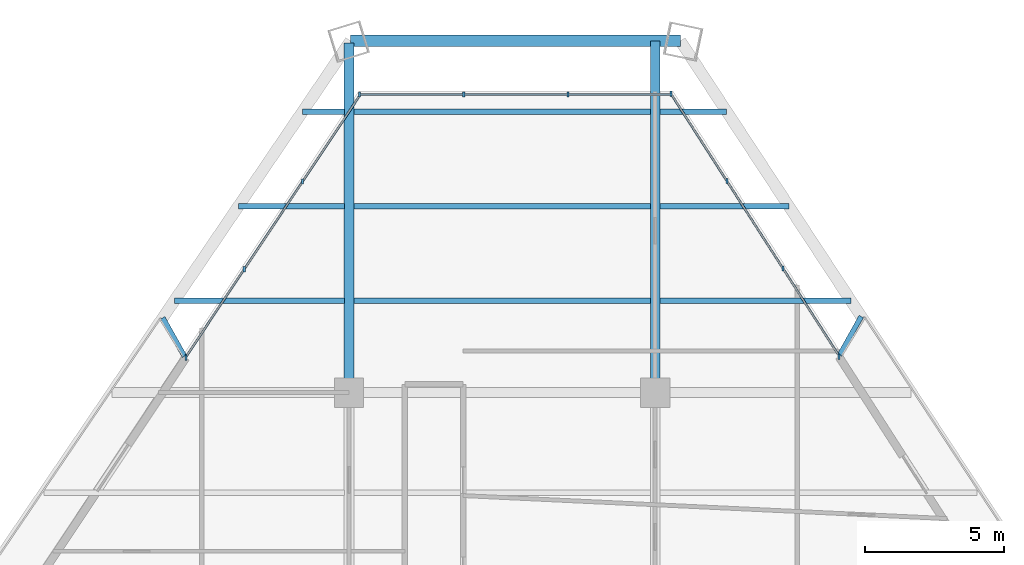
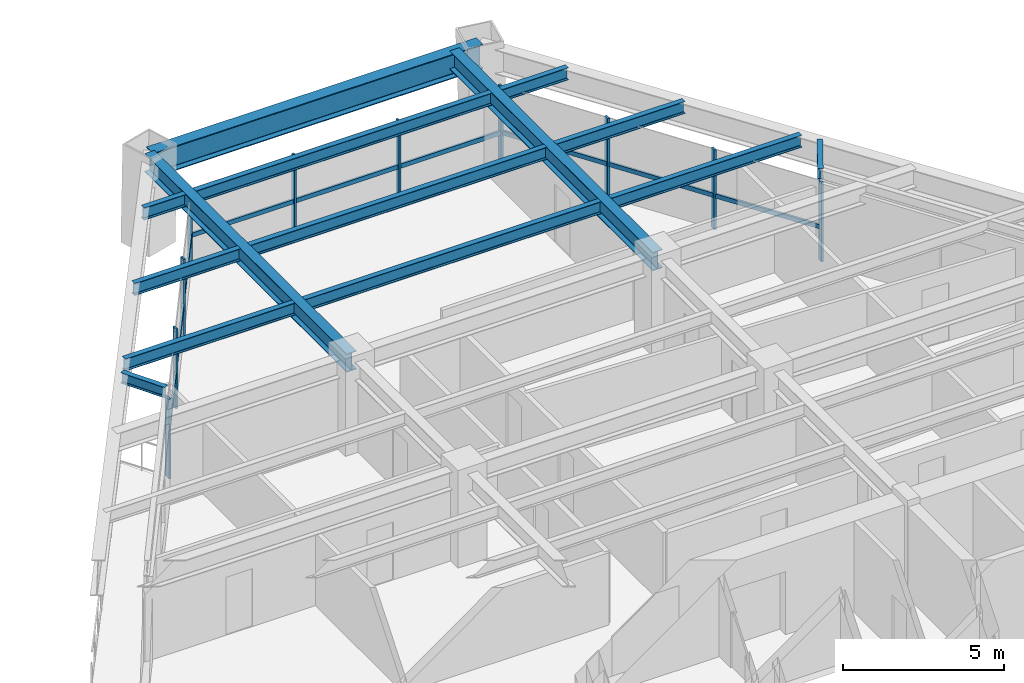
# One storey, part 8 of 14: 20 members, 14 beams, 3 elements without a shape of their own.
"""IFC4 building model written with IfcOpenShell, lengths in metres."""

from ifc_helpers import new_model, si_unit, direction, frame, origin, origin_2d, place, context, subcontext, project, spatial, rectangle, i_section, extrude, source, transform, mapped, material, material_profile, profile_set, type_object, element, aggregate, save


model = new_model("IFC4")

# Units and contexts
model_context = context("Model", 3, precision=1e-05, world=origin(), true_north=direction((0.0, 1.0)))
body_context = subcontext(model_context, "Body", "Model", "MODEL_VIEW")
ifc_project = project(units=[si_unit("LENGTHUNIT", "METRE"), si_unit("AREAUNIT", "SQUARE_METRE"), si_unit("VOLUMEUNIT", "CUBIC_METRE"), si_unit("PLANEANGLEUNIT", "RADIAN"), si_unit("MASSUNIT", "GRAM", prefix="KILO")], contexts=[model_context])

# Site, building, storey
site_placement = place(None, origin())
site = spatial("IfcSite", under=ifc_project, at=site_placement, CompositionType="ELEMENT")
building_placement = place(site_placement, origin())
building = spatial("IfcBuilding", under=site, at=building_placement, Name="Varnakhor Terracotta Tower", CompositionType="ELEMENT")
storey_placement = place(building_placement, frame((0.0, 0.0, 113.60009765625)))
storey = spatial("IfcBuildingStorey", under=building, at=storey_placement, Name="L28", CompositionType="ELEMENT", Elevation=113.60009765625)

# Beams
ifc_material_1 = material(Name="Steel S355", Category="steel")
ifc_material_profile_1 = material_profile(ifc_material_1, i_section(OverallWidth=0.19189453125, OverallDepth=0.462890625, WebThickness=0.010498046875, FlangeThickness=0.017578125, FilletRadius=0.01806640625, at=origin_2d()), Name="W18X60")
ifc_profile_set_1 = profile_set([ifc_material_profile_1], Name="Steel S355")
beam_type_1 = type_object("IfcBeamType", Name="JST-W18X60", PredefinedType="JOIST", material=ifc_profile_set_1)
shared_shape_1 = source(origin(), body_context, "Body", "SweptSolid", [
    extrude(i_section(OverallWidth=0.19189453125, OverallDepth=0.462890625, WebThickness=0.010498046875, FlangeThickness=0.017578125, FilletRadius=0.01806640625, at=origin_2d()), origin(), (0.0, 0.0, 1.0), 10.65283203125),
])
for number, where, z_axis, x_axis, name in (
    (1, (-5.326416015625, 34.800048828125, 3.218505859375), (1.0, 0.0, 0.0), (0.0, 1.0, 0.0), "L28 Composite Floor Joist 7-2"),
    (2, (-5.326416015625, 38.199951171875, 3.218505859375), (1.0, 0.0, 0.0), (0.0, 1.0, 0.0), "L28 Composite Floor Joist 8-2"),
    (3, (-5.326416015625, 41.60009765625, 3.218505859375), (1.0, 0.0, 0.0), (0.0, 1.0, 0.0), "L28 Composite Floor Joist 9-2"),
):
    element("IfcBeam", number, at=place(storey_placement, frame(where, z_axis=z_axis, x_axis=x_axis)), inside=storey, type_object=beam_type_1, Name=name, PredefinedType="JOIST", context=body_context, shape_type="MappedRepresentation", body=[
        mapped(shared_shape_1, transform((0.0, 0.0, 0.0), scale=1.0)),
    ])
ifc_material_profile_2 = material_profile(ifc_material_1, i_section(OverallWidth=0.41796875, OverallDepth=0.927001953125, WebThickness=0.01904296875, FlangeThickness=0.031982421875, FilletRadius=0.01806640625, at=origin_2d()), Name="W36X231")
ifc_profile_set_2 = profile_set([ifc_material_profile_2], Name="Steel S355")
beam_type_2 = type_object("IfcBeamType", Name="BM-W36X231", PredefinedType="BEAM", material=ifc_profile_set_2)
shared_shape_2 = source(origin(), body_context, "Body", "SweptSolid", [
    extrude(i_section(OverallWidth=0.41796875, OverallDepth=0.927001953125, WebThickness=0.01904296875, FlangeThickness=0.031982421875, FilletRadius=0.01806640625, at=origin_2d()), origin(), (0.0, 0.0, 1.0), 11.851318359375),
])
beam_1_placement = place(storey_placement, frame((6.40185546875, 44.143310546875, 2.986328125), z_axis=(-1.0, 0.0, 0.0), x_axis=(0.0, -1.0, 0.0)))
element("IfcBeam", 4, at=beam_1_placement, inside=storey, type_object=beam_type_2, Name="L28 Perimeter Spandrel 5", PredefinedType="BEAM", context=body_context, shape_type="MappedRepresentation", body=[
    mapped(shared_shape_2, transform((0.0, 0.0, 0.0), scale=1.0)),
])
ifc_material_profile_3 = material_profile(ifc_material_1, i_section(OverallWidth=0.35498046875, OverallDepth=0.695068359375, WebThickness=0.014892578125, FlangeThickness=0.02490234375, FilletRadius=0.01806640625, at=origin_2d()), Name="W27X146")
ifc_profile_set_3 = profile_set([ifc_material_profile_3], Name="Steel S355")
beam_type_3 = type_object("IfcBeamType", Name="BM-W27X146", PredefinedType="BEAM", material=ifc_profile_set_3)
shared_shape_3 = source(origin(), body_context, "Body", "SweptSolid", [
    extrude(i_section(OverallWidth=0.35498046875, OverallDepth=0.695068359375, WebThickness=0.014892578125, FlangeThickness=0.02490234375, FilletRadius=0.01806640625, at=origin_2d()), origin(), (0.0, 0.0, 1.0), 12.56884765625),
])
beam_2_placement = place(storey_placement, frame((-5.5, 31.5, 3.102294921875), z_axis=(0.0, 1.0, 0.0), x_axis=(-1.0, 0.0, 0.0)))
element("IfcBeam", 5, at=beam_2_placement, inside=storey, type_object=beam_type_3, Name="L28 Primary Girder NS3-W", PredefinedType="BEAM", context=body_context, shape_type="MappedRepresentation", body=[
    mapped(shared_shape_3, transform((0.0, 0.0, 0.0), scale=1.0)),
])
shared_shape_4 = source(origin(), body_context, "Body", "SweptSolid", [
    extrude(i_section(OverallWidth=0.35498046875, OverallDepth=0.695068359375, WebThickness=0.014892578125, FlangeThickness=0.02490234375, FilletRadius=0.01806640625, at=origin_2d()), origin(), (0.0, 0.0, 1.0), 12.643310546875),
])
beam_3_placement = place(storey_placement, frame((5.5, 31.5, 3.102294921875), z_axis=(0.0, 1.0, 0.0), x_axis=(-1.0, 0.0, 0.0)))
element("IfcBeam", 6, at=beam_3_placement, inside=storey, type_object=beam_type_3, Name="L28 Primary Girder NS3-E", PredefinedType="BEAM", context=body_context, shape_type="MappedRepresentation", body=[
    mapped(shared_shape_4, transform((0.0, 0.0, 0.0), scale=1.0)),
])
shared_shape_5 = source(origin(), body_context, "Body", "SweptSolid", [
    extrude(i_section(OverallWidth=0.19189453125, OverallDepth=0.462890625, WebThickness=0.010498046875, FlangeThickness=0.017578125, FilletRadius=0.01806640625, at=origin_2d()), origin(), (0.0, 0.0, 1.0), 6.11083984375),
])
beam_4_placement = place(storey_placement, frame((-11.784423828125, 34.800048828125, 3.218505859375), z_axis=(1.0, 0.0, 0.0), x_axis=(0.0, 1.0, 0.0)))
element("IfcBeam", 7, at=beam_4_placement, inside=storey, type_object=beam_type_1, Name="L28 Composite Floor Joist 7-1", PredefinedType="JOIST", context=body_context, shape_type="MappedRepresentation", body=[
    mapped(shared_shape_5, transform((0.0, 0.0, 0.0), scale=1.0)),
])
shared_shape_6 = source(origin(), body_context, "Body", "SweptSolid", [
    extrude(i_section(OverallWidth=0.19189453125, OverallDepth=0.462890625, WebThickness=0.010498046875, FlangeThickness=0.017578125, FilletRadius=0.01806640625, at=origin_2d()), origin(), (0.0, 0.0, 1.0), 6.861572265625),
])
beam_5_placement = place(storey_placement, frame((5.673583984375, 34.800048828125, 3.218505859375), z_axis=(1.0, 0.0, 0.0), x_axis=(0.0, 1.0, 0.0)))
element("IfcBeam", 8, at=beam_5_placement, inside=storey, type_object=beam_type_1, Name="L28 Composite Floor Joist 7-3", PredefinedType="JOIST", context=body_context, shape_type="MappedRepresentation", body=[
    mapped(shared_shape_6, transform((0.0, 0.0, 0.0), scale=1.0)),
])
shared_shape_7 = source(origin(), body_context, "Body", "SweptSolid", [
    extrude(i_section(OverallWidth=0.19189453125, OverallDepth=0.462890625, WebThickness=0.010498046875, FlangeThickness=0.017578125, FilletRadius=0.01806640625, at=origin_2d()), origin(), (0.0, 0.0, 1.0), 3.8056640625),
])
beam_6_placement = place(storey_placement, frame((-9.479248046875, 38.199951171875, 3.218505859375), z_axis=(1.0, 0.0, 0.0), x_axis=(0.0, 1.0, 0.0)))
element("IfcBeam", 9, at=beam_6_placement, inside=storey, type_object=beam_type_1, Name="L28 Composite Floor Joist 8-1", PredefinedType="JOIST", context=body_context, shape_type="MappedRepresentation", body=[
    mapped(shared_shape_7, transform((0.0, 0.0, 0.0), scale=1.0)),
])
shared_shape_8 = source(origin(), body_context, "Body", "SweptSolid", [
    extrude(i_section(OverallWidth=0.19189453125, OverallDepth=0.462890625, WebThickness=0.010498046875, FlangeThickness=0.017578125, FilletRadius=0.01806640625, at=origin_2d()), origin(), (0.0, 0.0, 1.0), 4.629638671875),
])
beam_7_placement = place(storey_placement, frame((5.673583984375, 38.199951171875, 3.218505859375), z_axis=(1.0, 0.0, 0.0), x_axis=(0.0, 1.0, 0.0)))
element("IfcBeam", 10, at=beam_7_placement, inside=storey, type_object=beam_type_1, Name="L28 Composite Floor Joist 8-3", PredefinedType="JOIST", context=body_context, shape_type="MappedRepresentation", body=[
    mapped(shared_shape_8, transform((0.0, 0.0, 0.0), scale=1.0)),
])
shared_shape_9 = source(origin(), body_context, "Body", "SweptSolid", [
    extrude(i_section(OverallWidth=0.19189453125, OverallDepth=0.462890625, WebThickness=0.010498046875, FlangeThickness=0.017578125, FilletRadius=0.01806640625, at=origin_2d()), origin(), (0.0, 0.0, 1.0), 1.50048828125),
])
beam_8_placement = place(storey_placement, frame((-7.174072265625, 41.60009765625, 3.218505859375), z_axis=(1.0, 0.0, 0.0), x_axis=(0.0, 1.0, 0.0)))
element("IfcBeam", 11, at=beam_8_placement, inside=storey, type_object=beam_type_1, Name="L28 Composite Floor Joist 9-1", PredefinedType="JOIST", context=body_context, shape_type="MappedRepresentation", body=[
    mapped(shared_shape_9, transform((0.0, 0.0, 0.0), scale=1.0)),
])
shared_shape_10 = source(origin(), body_context, "Body", "SweptSolid", [
    extrude(i_section(OverallWidth=0.19189453125, OverallDepth=0.462890625, WebThickness=0.010498046875, FlangeThickness=0.017578125, FilletRadius=0.01806640625, at=origin_2d()), origin(), (0.0, 0.0, 1.0), 2.397705078125),
])
beam_9_placement = place(storey_placement, frame((5.673583984375, 41.60009765625, 3.218505859375), z_axis=(1.0, 0.0, 0.0), x_axis=(0.0, 1.0, 0.0)))
element("IfcBeam", 12, at=beam_9_placement, inside=storey, type_object=beam_type_1, Name="L28 Composite Floor Joist 9-3", PredefinedType="JOIST", context=body_context, shape_type="MappedRepresentation", body=[
    mapped(shared_shape_10, transform((0.0, 0.0, 0.0), scale=1.0)),
])

# Curtain wall, members
ifc_material_2 = material(Name="Anodised Aluminium Curtain Wall System", Category="aluminium")
curtain_wall_type = type_object("IfcCurtainWallType", Name="CW-SYS-LOW-OFFICE", PredefinedType="NOTDEFINED", material=ifc_material_2)
curtain_wall_1_placement = place(storey_placement, origin())
curtain_wall_1 = element("IfcCurtainWall", 13, at=curtain_wall_1_placement, inside=storey, type_object=curtain_wall_type, Name="L28 W Facet Curtain Wall 2", PredefinedType="NOTDEFINED")
ifc_material_3 = material(Name="Anodised Aluminium 6063-T6", Category="aluminium")
ifc_material_profile_4 = material_profile(ifc_material_3, rectangle(XDim=0.074951171875, YDim=0.18505859375, at=origin_2d()), Name="ALU MULLION 75x185")
ifc_profile_set_4 = profile_set([ifc_material_profile_4], Name="Anodised Aluminium 6063-T6")
member_type_1 = type_object("IfcMemberType", Name="CWM-02", PredefinedType="MULLION", material=ifc_profile_set_4)
shared_shape_11 = source(origin(), body_context, "Body", "SweptSolid", [
    extrude(rectangle(XDim=0.074951171875, YDim=0.18505859375, at=origin_2d()), origin(), (0.0, 0.0, 1.0), 3.02978515625),
])
member_1_placement = place(storey_placement, frame((-11.366943359375, 32.781005859375, 0.0), z_axis=(0.0, 0.0, 1.0), x_axis=(1.0, 0.0, 0.0)))
member_1 = element("IfcMember", 14, at=member_1_placement, type_object=member_type_1, Name="L28 W Facet Curtain Wall 2 Mullion 1", PredefinedType="MULLION", context=body_context, shape_type="MappedRepresentation", body=[
    mapped(shared_shape_11, transform((0.0, 0.0, 0.0), scale=1.0)),
])
member_2_placement = place(storey_placement, frame((-9.269287109375, 35.9345703125, 0.0), z_axis=(0.0, 0.0, 1.0), x_axis=(1.0, 0.0, 0.0)))
member_2 = element("IfcMember", 15, at=member_2_placement, type_object=member_type_1, Name="L28 W Facet Curtain Wall 2 Mullion 2", PredefinedType="MULLION", context=body_context, shape_type="MappedRepresentation", body=[
    mapped(shared_shape_11, transform((0.0, 0.0, 0.0), scale=1.0)),
])
member_3_placement = place(storey_placement, frame((-7.171630859375, 39.088134765625, 0.0), z_axis=(0.0, 0.0, 1.0), x_axis=(1.0, 0.0, 0.0)))
member_3 = element("IfcMember", 16, at=member_3_placement, type_object=member_type_1, Name="L28 W Facet Curtain Wall 2 Mullion 3", PredefinedType="MULLION", context=body_context, shape_type="MappedRepresentation", body=[
    mapped(shared_shape_11, transform((0.0, 0.0, 0.0), scale=1.0)),
])
member_4_placement = place(storey_placement, frame((-11.366943359375, 32.744873046875, 0.0), z_axis=(0.0, 0.0, 1.0), x_axis=(1.0, 0.0, 0.0)))
member_4 = element("IfcMember", 17, at=member_4_placement, type_object=member_type_1, Name="L28 W Loggia Jamb Closure Mullion 2", PredefinedType="MULLION", context=body_context, shape_type="MappedRepresentation", body=[
    mapped(shared_shape_11, transform((0.0, 0.0, 0.0), scale=1.0)),
])

curtain_wall_2_placement = place(storey_placement, origin())
curtain_wall_2 = element("IfcCurtainWall", 18, at=curtain_wall_2_placement, inside=storey, type_object=curtain_wall_type, Name="L28 Facet Curtain Wall 2", PredefinedType="NOTDEFINED")
member_5_placement = place(storey_placement, frame((-5.127197265625, 42.21337890625, 0.0), z_axis=(0.0, 0.0, 1.0), x_axis=(1.0, 0.0, 0.0)))
member_5 = element("IfcMember", 19, at=member_5_placement, type_object=member_type_1, Name="L28 Facet Curtain Wall 2 Mullion 1", PredefinedType="MULLION", context=body_context, shape_type="MappedRepresentation", body=[
    mapped(shared_shape_11, transform((0.0, 0.0, 0.0), scale=1.0)),
])
member_6_placement = place(storey_placement, frame((-1.379150390625, 42.21337890625, 0.0), z_axis=(0.0, 0.0, 1.0), x_axis=(1.0, 0.0, 0.0)))
member_6 = element("IfcMember", 20, at=member_6_placement, type_object=member_type_1, Name="L28 Facet Curtain Wall 2 Mullion 2", PredefinedType="MULLION", context=body_context, shape_type="MappedRepresentation", body=[
    mapped(shared_shape_11, transform((0.0, 0.0, 0.0), scale=1.0)),
])
member_7_placement = place(storey_placement, frame((2.369140625, 42.21337890625, 0.0), z_axis=(0.0, 0.0, 1.0), x_axis=(1.0, 0.0, 0.0)))
member_7 = element("IfcMember", 21, at=member_7_placement, type_object=member_type_1, Name="L28 Facet Curtain Wall 2 Mullion 3", PredefinedType="MULLION", context=body_context, shape_type="MappedRepresentation", body=[
    mapped(shared_shape_11, transform((0.0, 0.0, 0.0), scale=1.0)),
])

curtain_wall_3_placement = place(storey_placement, origin())
curtain_wall_3 = element("IfcCurtainWall", 22, at=curtain_wall_3_placement, inside=storey, type_object=curtain_wall_type, Name="L28 E Facet Curtain Wall 1", PredefinedType="NOTDEFINED")
member_8_placement = place(storey_placement, frame((6.0625, 42.2431640625, 0.0), z_axis=(0.0, 0.0, 1.0), x_axis=(1.0, 0.0, 0.0)))
member_8 = element("IfcMember", 23, at=member_8_placement, type_object=member_type_1, Name="L28 E Facet Curtain Wall 1 Mullion 1", PredefinedType="MULLION", context=body_context, shape_type="MappedRepresentation", body=[
    mapped(shared_shape_11, transform((0.0, 0.0, 0.0), scale=1.0)),
])
member_9_placement = place(storey_placement, frame((8.0771484375, 39.10400390625, 0.0), z_axis=(0.0, 0.0, 1.0), x_axis=(1.0, 0.0, 0.0)))
member_9 = element("IfcMember", 24, at=member_9_placement, type_object=member_type_1, Name="L28 E Facet Curtain Wall 1 Mullion 2", PredefinedType="MULLION", context=body_context, shape_type="MappedRepresentation", body=[
    mapped(shared_shape_11, transform((0.0, 0.0, 0.0), scale=1.0)),
])
member_10_placement = place(storey_placement, frame((10.092041015625, 35.964599609375, 0.0), z_axis=(0.0, 0.0, 1.0), x_axis=(1.0, 0.0, 0.0)))
member_10 = element("IfcMember", 25, at=member_10_placement, type_object=member_type_1, Name="L28 E Facet Curtain Wall 1 Mullion 3", PredefinedType="MULLION", context=body_context, shape_type="MappedRepresentation", body=[
    mapped(shared_shape_11, transform((0.0, 0.0, 0.0), scale=1.0)),
])
member_11_placement = place(storey_placement, frame((12.106201171875, 32.7890625, 0.0), z_axis=(0.0, 0.0, 1.0), x_axis=(1.0, 0.0, 0.0)))
member_11 = element("IfcMember", 26, at=member_11_placement, type_object=member_type_1, Name="L28 E Loggia Jamb Closure Mullion 1", PredefinedType="MULLION", context=body_context, shape_type="MappedRepresentation", body=[
    mapped(shared_shape_11, transform((0.0, 0.0, 0.0), scale=1.0)),
])
ifc_material_profile_5 = material_profile(ifc_material_3, rectangle(XDim=0.074951171875, YDim=0.1650390625, at=origin_2d()), Name="ALU TRANSOM 75x165")
ifc_profile_set_5 = profile_set([ifc_material_profile_5], Name="Anodised Aluminium 6063-T6")
member_type_2 = type_object("IfcMemberType", Name="CWT-02", PredefinedType="USERDEFINED", material=ifc_profile_set_5)
shared_shape_12 = source(origin(), body_context, "Body", "SweptSolid", [
    extrude(rectangle(XDim=0.074951171875, YDim=0.1650390625, at=origin_2d()), origin(), (0.0, 0.0, 1.0), 3.73046875),
])
member_12_placement = place(storey_placement, frame((8.0771484375, 39.10400390625, 1.2724609375), z_axis=(0.540132271647, -0.841580138267, 0.0), x_axis=(0.841580138267, 0.540132271647, 0.0)))
member_12 = element("IfcMember", 27, at=member_12_placement, type_object=member_type_2, Name="L28 E Facet Curtain Wall 1 Transom 2", ObjectType="TRANSOM", PredefinedType="USERDEFINED", context=body_context, shape_type="MappedRepresentation", body=[
    mapped(shared_shape_12, transform((0.0, 0.0, 0.0), scale=1.0)),
])
shared_shape_13 = source(origin(), body_context, "Body", "SweptSolid", [
    extrude(rectangle(XDim=0.074951171875, YDim=0.1650390625, at=origin_2d()), origin(), (0.0, 0.0, 1.0), 3.730224609375),
])
member_13_placement = place(storey_placement, frame((10.092041015625, 35.964599609375, 1.2724609375), z_axis=(0.540085916041, -0.84160988783, 0.0), x_axis=(0.84160988783, 0.540085916041, 0.0)))
member_13 = element("IfcMember", 28, at=member_13_placement, type_object=member_type_2, Name="L28 E Facet Curtain Wall 1 Transom 3", ObjectType="TRANSOM", PredefinedType="USERDEFINED", context=body_context, shape_type="MappedRepresentation", body=[
    mapped(shared_shape_13, transform((0.0, 0.0, 0.0), scale=1.0)),
])

# Member
shared_shape_14 = source(origin(), body_context, "Body", "SweptSolid", [
    extrude(rectangle(XDim=0.074951171875, YDim=0.1650390625, at=origin_2d()), origin(), (0.0, 0.0, 1.0), 3.78759765625),
])
member_14_placement = place(storey_placement, frame((-11.366943359375, 32.781005859375, 1.2724609375), z_axis=(0.55383713068, 0.832625025255, 0.0), x_axis=(-0.832625025255, 0.55383713068, 0.0)))
member_14 = element("IfcMember", 29, at=member_14_placement, type_object=member_type_2, Name="L28 W Facet Curtain Wall 2 Transom 1", ObjectType="TRANSOM", PredefinedType="USERDEFINED", context=body_context, shape_type="MappedRepresentation", body=[
    mapped(shared_shape_14, transform((0.0, 0.0, 0.0), scale=1.0)),
])

member_15_placement = place(storey_placement, frame((-9.269287109375, 35.9345703125, 1.2724609375), z_axis=(0.55383713068, 0.832625025255, 0.0), x_axis=(-0.832625025255, 0.55383713068, 0.0)))
member_15 = element("IfcMember", 30, at=member_15_placement, type_object=member_type_2, Name="L28 W Facet Curtain Wall 2 Transom 2", ObjectType="TRANSOM", PredefinedType="USERDEFINED", context=body_context, shape_type="MappedRepresentation", body=[
    mapped(shared_shape_14, transform((0.0, 0.0, 0.0), scale=1.0)),
])

member_16_placement = place(storey_placement, frame((-7.171630859375, 39.088134765625, 1.2724609375), z_axis=(0.553807407096, 0.832644795724, 0.0), x_axis=(-0.832644795724, 0.553807407096, 0.0)))
member_16 = element("IfcMember", 31, at=member_16_placement, type_object=member_type_2, Name="L28 W Facet Curtain Wall 2 Transom 3", ObjectType="TRANSOM", PredefinedType="USERDEFINED", context=body_context, shape_type="MappedRepresentation", body=[
    mapped(shared_shape_14, transform((0.0, 0.0, 0.0), scale=1.0)),
])

aggregate(curtain_wall_1, [member_1, member_14, member_2, member_15, member_3, member_16, member_4])

shared_shape_15 = source(origin(), body_context, "Body", "SweptSolid", [
    extrude(rectangle(XDim=0.074951171875, YDim=0.1650390625, at=origin_2d()), origin(), (0.0, 0.0, 1.0), 3.748046875),
])
member_17_placement = place(storey_placement, frame((-5.127197265625, 42.21337890625, 1.2724609375), z_axis=(1.0, 0.0, 0.0), x_axis=(0.0, 1.0, 0.0)))
member_17 = element("IfcMember", 32, at=member_17_placement, type_object=member_type_2, Name="L28 Facet Curtain Wall 2 Transom 1", ObjectType="TRANSOM", PredefinedType="USERDEFINED", context=body_context, shape_type="MappedRepresentation", body=[
    mapped(shared_shape_15, transform((0.0, 0.0, 0.0), scale=1.0)),
])

member_18_placement = place(storey_placement, frame((2.369140625, 42.21337890625, 1.2724609375), z_axis=(1.0, 0.0, 0.0), x_axis=(0.0, 1.0, 0.0)))
member_18 = element("IfcMember", 33, at=member_18_placement, type_object=member_type_2, Name="L28 Facet Curtain Wall 2 Transom 3", ObjectType="TRANSOM", PredefinedType="USERDEFINED", context=body_context, shape_type="MappedRepresentation", body=[
    mapped(shared_shape_15, transform((0.0, 0.0, 0.0), scale=1.0)),
])

shared_shape_16 = source(origin(), body_context, "Body", "SweptSolid", [
    extrude(rectangle(XDim=0.074951171875, YDim=0.1650390625, at=origin_2d()), origin(), (0.0, 0.0, 1.0), 3.748291015625),
])
member_19_placement = place(storey_placement, frame((-1.379150390625, 42.21337890625, 1.2724609375), z_axis=(1.0, 0.0, 0.0), x_axis=(0.0, 1.0, 0.0)))
member_19 = element("IfcMember", 34, at=member_19_placement, type_object=member_type_2, Name="L28 Facet Curtain Wall 2 Transom 2", ObjectType="TRANSOM", PredefinedType="USERDEFINED", context=body_context, shape_type="MappedRepresentation", body=[
    mapped(shared_shape_16, transform((0.0, 0.0, 0.0), scale=1.0)),
])

aggregate(curtain_wall_2, [member_5, member_17, member_6, member_19, member_7, member_18])

shared_shape_17 = source(origin(), body_context, "Body", "SweptSolid", [
    extrude(rectangle(XDim=0.074951171875, YDim=0.1650390625, at=origin_2d()), origin(), (0.0, 0.0, 1.0), 3.72998046875),
])
member_20_placement = place(storey_placement, frame((6.0625, 42.2431640625, 1.2724609375), z_axis=(0.540115666681, -0.841590795224, 0.0), x_axis=(0.841590795224, 0.540115666681, 0.0)))
member_20 = element("IfcMember", 35, at=member_20_placement, type_object=member_type_2, Name="L28 E Facet Curtain Wall 1 Transom 1", ObjectType="TRANSOM", PredefinedType="USERDEFINED", context=body_context, shape_type="MappedRepresentation", body=[
    mapped(shared_shape_17, transform((0.0, 0.0, 0.0), scale=1.0)),
])

aggregate(curtain_wall_3, [member_8, member_20, member_9, member_12, member_10, member_13, member_11])

# Beams
ifc_material_profile_6 = material_profile(ifc_material_1, i_section(OverallWidth=0.179931640625, OverallDepth=0.39990234375, WebThickness=0.008544921875, FlangeThickness=0.013427734375, FilletRadius=0.01806640625, at=origin_2d()), Name="IPE400")
ifc_profile_set_6 = profile_set([ifc_material_profile_6], Name="Steel S355")
beam_type_4 = type_object("IfcBeamType", Name="JST-IPE400", PredefinedType="JOIST", material=ifc_profile_set_6)
shared_shape_18 = source(origin(), body_context, "Body", "SweptSolid", [
    extrude(i_section(OverallWidth=0.179931640625, OverallDepth=0.39990234375, WebThickness=0.008544921875, FlangeThickness=0.013427734375, FilletRadius=0.01806640625, at=origin_2d()), origin(), (0.0, 0.0, 1.0), 1.59130859375),
])
beam_10_placement = place(storey_placement, frame((-11.41650390625, 32.803955078125, 3.25), z_axis=(-0.491091386991, 0.871108058523, 0.0), x_axis=(-0.871108058523, -0.491091386991, 0.0)))
element("IfcBeam", 36, at=beam_10_placement, inside=storey, type_object=beam_type_4, Name="L29 W Loggia Tie Beam 2", PredefinedType="JOIST", context=body_context, shape_type="MappedRepresentation", body=[
    mapped(shared_shape_18, transform((0.0, 0.0, 0.0), scale=1.0)),
])
shared_shape_19 = source(origin(), body_context, "Body", "SweptSolid", [
    extrude(i_section(OverallWidth=0.179931640625, OverallDepth=0.39990234375, WebThickness=0.008544921875, FlangeThickness=0.013427734375, FilletRadius=0.01806640625, at=origin_2d()), origin(), (0.0, 0.0, 1.0), 1.59228515625),
])
beam_11_placement = place(storey_placement, frame((12.125732421875, 32.847900390625, 3.25), z_axis=(0.489751556284, 0.871862037892, 0.0), x_axis=(-0.871862037892, 0.489751556284, 0.0)))
element("IfcBeam", 37, at=beam_11_placement, inside=storey, type_object=beam_type_4, Name="L29 E Loggia Tie Beam 1", PredefinedType="JOIST", context=body_context, shape_type="MappedRepresentation", body=[
    mapped(shared_shape_19, transform((0.0, 0.0, 0.0), scale=1.0)),
])

save(model, "model.ifc")
